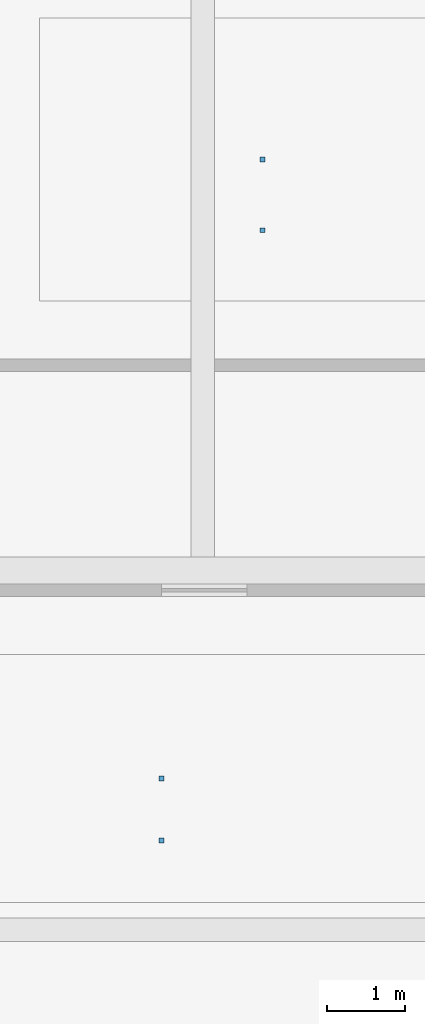
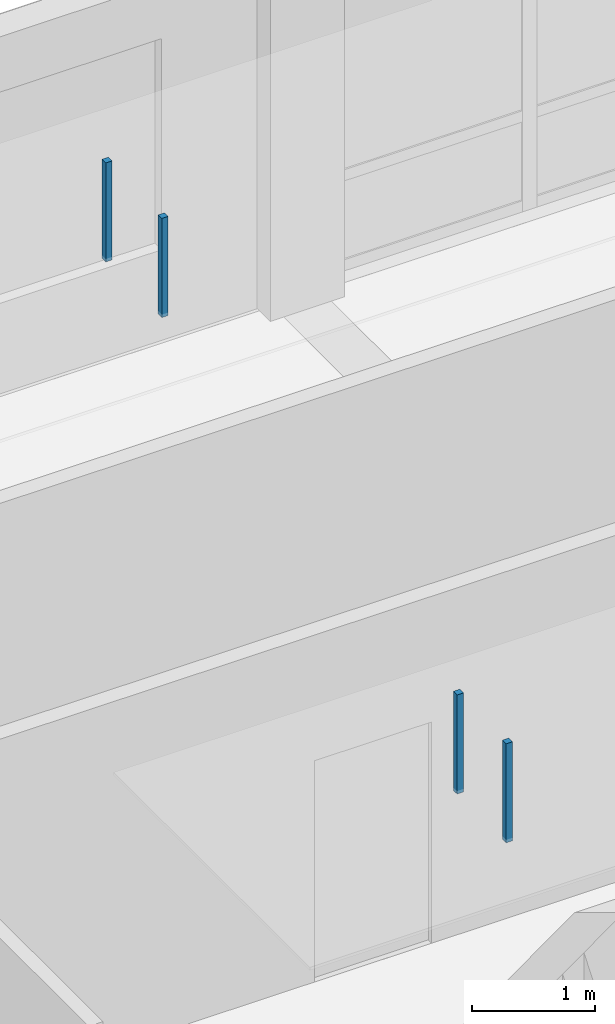
# One storey, part 18 of 35: 4 discrete accessories.
"""IFC4 building model written with IfcOpenShell, lengths in metres."""

from ifc_helpers import new_model, si_unit, direction, frame, origin, origin_2d, place, context, subcontext, project, spatial, rectangle, extrude, material, type_object, element, save


model = new_model("IFC4")

# Units and contexts
model_context = context("Model", 3, precision=1e-05, world=origin(), true_north=direction((0.0, 1.0)))
body_context = subcontext(model_context, "Body", "Model", "MODEL_VIEW")
ifc_project = project(units=[si_unit("LENGTHUNIT", "METRE"), si_unit("AREAUNIT", "SQUARE_METRE"), si_unit("VOLUMEUNIT", "CUBIC_METRE"), si_unit("PLANEANGLEUNIT", "RADIAN"), si_unit("MASSUNIT", "GRAM", prefix="KILO")], contexts=[model_context])

# Site, building, storey
site_placement = place(None, origin())
site = spatial("IfcSite", under=ifc_project, at=site_placement, CompositionType="ELEMENT")
building_placement = place(site_placement, origin())
building = spatial("IfcBuilding", under=site, at=building_placement, Name="Telukmera Botanical Conservatory", CompositionType="ELEMENT")
storey_placement = place(building_placement, frame((0.0, 0.0, 46.5)))
storey = spatial("IfcBuildingStorey", under=building, at=storey_placement, Name="L10", CompositionType="ELEMENT", Elevation=46.5)

# Discrete accessories
ifc_material = material(Name="Steel S355", Category="steel")
discrete_accessory_type = type_object("IfcDiscreteAccessoryType", Name="ACC-CEIL-HGR", PredefinedType="BRACKET", material=ifc_material)
for number, where, z_axis, x_axis, name in (
    (1, (79.27099609375, 31.0, 3.31982421875), (0.0, 0.0, 1.0), (1.0, 0.0, 0.0), "L10 Suspended Ceiling Hanger Rod 011-1"),
    (2, (79.27099609375, 31.800048828125, 3.31982421875), (0.0, 0.0, 1.0), (1.0, 0.0, 0.0), "L10 Suspended Ceiling Hanger Rod 011-2"),
    (3, (80.571044921875, 38.862548828125, 3.31982421875), (0.0, 0.0, 1.0), (1.0, 0.0, 0.0), "L10 Suspended Ceiling Hanger Rod 031-1"),
    (4, (80.571044921875, 39.77490234375, 3.31982421875), (0.0, 0.0, 1.0), (1.0, 0.0, 0.0), "L10 Suspended Ceiling Hanger Rod 031-2"),
):
    element("IfcDiscreteAccessory", number, at=place(storey_placement, frame(where, z_axis=z_axis, x_axis=x_axis)), inside=storey, type_object=discrete_accessory_type, Name=name, PredefinedType="BRACKET", context=body_context, shape_type="SweptSolid", body=[
        extrude(rectangle(XDim=0.06005859375, YDim=0.06005859375, at=origin_2d()), origin(), (0.0, 0.0, 1.0), 0.985107421875),
    ])

save(model, "model.ifc")
